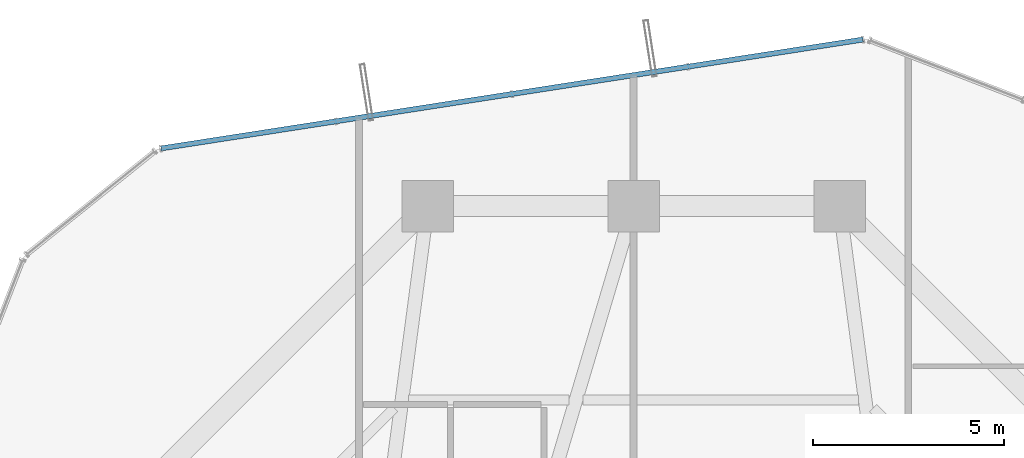
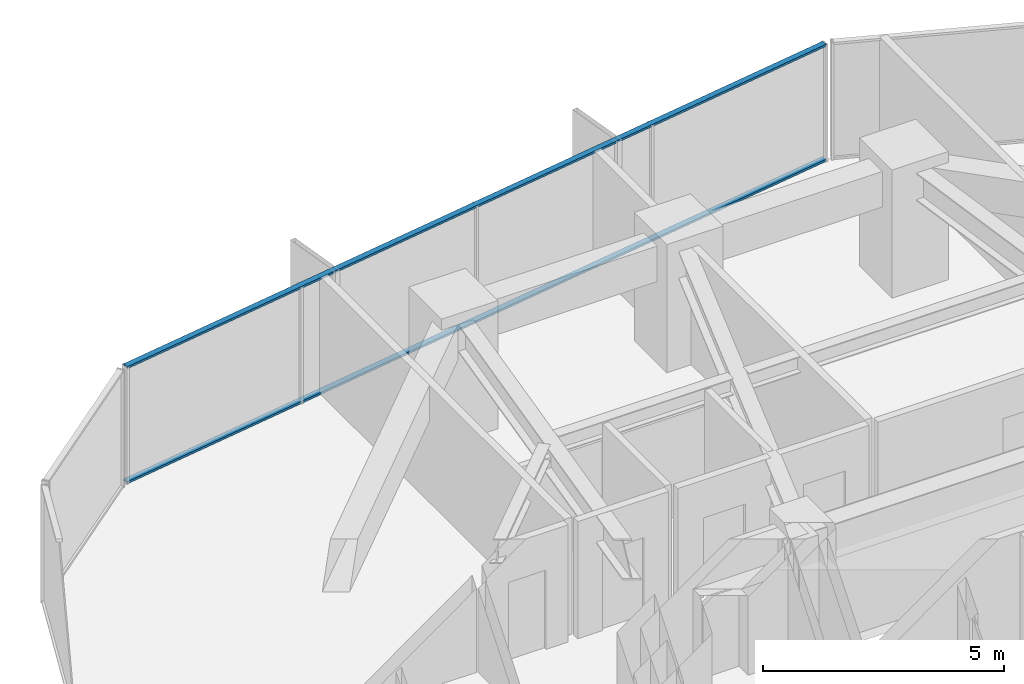
# One storey, part 26 of 37: 2 members, 1 element without a shape of its own.
"""IFC4 building model written with IfcOpenShell, lengths in metres."""

from ifc_helpers import new_model, si_unit, direction, frame, origin, origin_2d, place, context, subcontext, project, spatial, hollow_rectangle, extrude, source, transform, mapped, material, layer, layer_set, material_profile, profile_set, type_object, element, aggregate, save


model = new_model("IFC4")

# Units and contexts
model_context = context("Model", 3, precision=1e-05, world=origin(), true_north=direction((0.0, 1.0)))
body_context = subcontext(model_context, "Body", "Model", "MODEL_VIEW")
ifc_project = project(units=[si_unit("LENGTHUNIT", "METRE"), si_unit("AREAUNIT", "SQUARE_METRE"), si_unit("VOLUMEUNIT", "CUBIC_METRE"), si_unit("PLANEANGLEUNIT", "RADIAN"), si_unit("MASSUNIT", "GRAM", prefix="KILO")], contexts=[model_context])

# Site, building, storey
site_placement = place(None, origin())
site = spatial("IfcSite", under=ifc_project, at=site_placement, CompositionType="ELEMENT")
building_placement = place(site_placement, origin())
building = spatial("IfcBuilding", under=site, at=building_placement, Name="Veraguas Prism Commons", CompositionType="ELEMENT")
storey_placement = place(building_placement, frame((0.0, 0.0, 53.300048828125)))
storey = spatial("IfcBuildingStorey", under=building, at=storey_placement, Name="L14", CompositionType="ELEMENT", Elevation=53.300048828125)

# Curtain wall, members
ifc_material = material(Name="Anodised aluminium EN AW-6063 T6", Category="aluminium")
ifc_layer = layer(ifc_material, 0.169921875, Name="Unitised Flush Curtain Wall Zone 1", Category="aluminium")
ifc_layer_set = layer_set([ifc_layer], Name="Anodised aluminium EN AW-6063 T6")
curtain_wall_type = type_object("IfcCurtainWallType", Name="Unitised Flush Curtain Wall Zone 1", PredefinedType="NOTDEFINED", material=ifc_layer_set)
curtain_wall_placement = place(storey_placement, origin())
curtain_wall = element("IfcCurtainWall", 1, at=curtain_wall_placement, inside=storey, type_object=curtain_wall_type, Name="Tower Facade Curtain Wall L14-F2", PredefinedType="NOTDEFINED")
ifc_material_profile = material_profile(ifc_material, hollow_rectangle(XDim=0.054931640625, YDim=0.135009765625, WallThickness=0.0029296875, at=origin_2d()), Name="AL55X135X3")
ifc_profile_set = profile_set([ifc_material_profile], Name="Anodised aluminium EN AW-6063 T6")
member_type = type_object("IfcMemberType", Name="Curtain Wall Transom Standard AL 55x135x3", PredefinedType="USERDEFINED", material=ifc_profile_set)
shared_shape = source(origin(), body_context, "Body", "SweptSolid", [
    extrude(hollow_rectangle(XDim=0.054931640625, YDim=0.135009765625, WallThickness=0.0029296875, at=origin_2d()), origin(), (0.0, 0.0, 1.0), 18.623779296875),
])
member_1_placement = place(storey_placement, frame((30.014892578125, 45.966552734375, 0.02734375), z_axis=(-0.98817599235, -0.153323866843, 0.0), x_axis=(0.0, 0.0, 1.0)))
member_1 = element("IfcMember", 2, at=member_1_placement, type_object=member_type, Name="CW-Z1 Transom 1", ObjectType="TRANSOM", PredefinedType="USERDEFINED", context=body_context, shape_type="MappedRepresentation", body=[
    mapped(shared_shape, transform((0.0, 0.0, 0.0), scale=1.0)),
])
member_2_placement = place(storey_placement, frame((30.014892578125, 45.966552734375, 2.9423828125), z_axis=(-0.98817599235, -0.153323866843, 0.0), x_axis=(0.0, 0.0, 1.0)))
member_2 = element("IfcMember", 3, at=member_2_placement, type_object=member_type, Name="CW-Z1 Transom 2", ObjectType="TRANSOM", PredefinedType="USERDEFINED", context=body_context, shape_type="MappedRepresentation", body=[
    mapped(shared_shape, transform((0.0, 0.0, 0.0), scale=1.0)),
])
aggregate(curtain_wall, [member_1, member_2])

save(model, "model.ifc")
